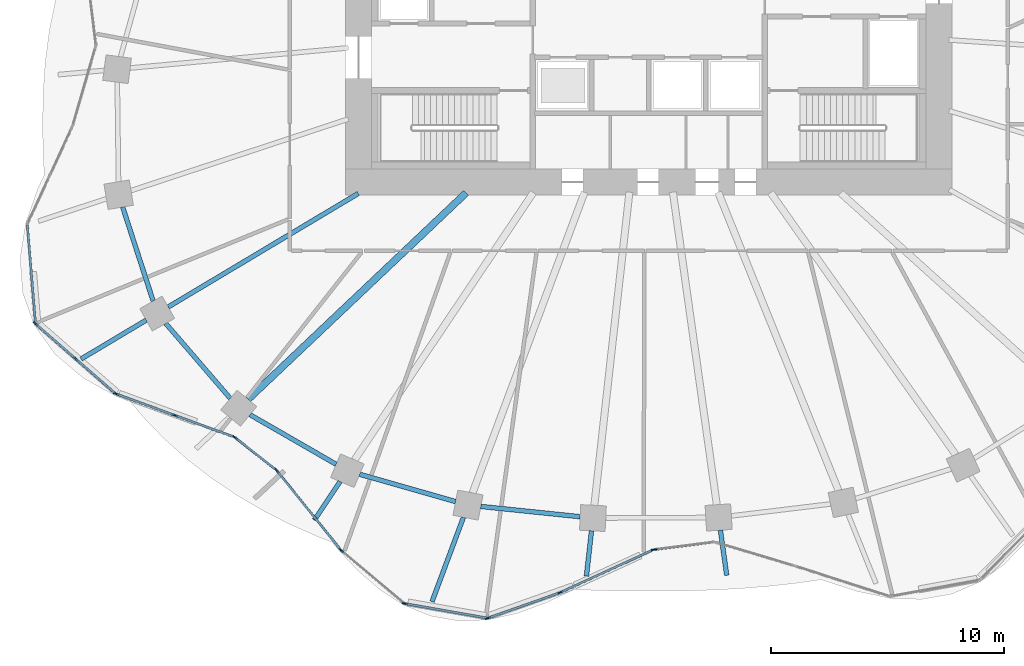
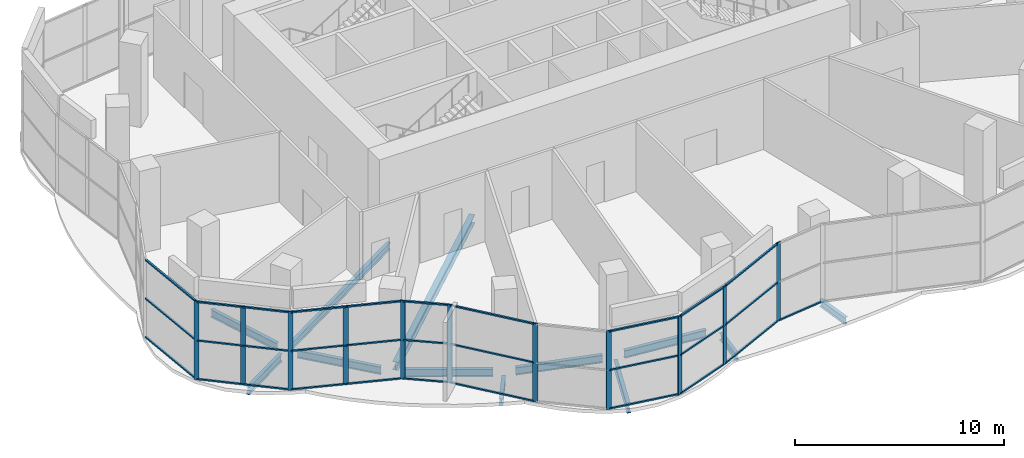
# One storey, part 2 of 16: 42 members, 12 beams, 10 elements without a shape of their own.
"""IFC4 building model written with IfcOpenShell, lengths in metres."""

from ifc_helpers import new_model, si_unit, direction, frame, origin, origin_2d, place, context, subcontext, project, spatial, rectangle, i_section, extrude, material, material_profile, profile_set, type_object, element, aggregate, save


model = new_model("IFC4")

# Units and contexts
model_context = context("Model", 3, precision=1e-05, world=origin(), true_north=direction((0.0, 1.0)))
body_context = subcontext(model_context, "Body", "Model", "MODEL_VIEW")
ifc_project = project(units=[si_unit("LENGTHUNIT", "METRE"), si_unit("AREAUNIT", "SQUARE_METRE"), si_unit("VOLUMEUNIT", "CUBIC_METRE"), si_unit("PLANEANGLEUNIT", "RADIAN"), si_unit("MASSUNIT", "GRAM", prefix="KILO")], contexts=[model_context])

# Site, building, storey
site_placement = place(None, origin())
site = spatial("IfcSite", under=ifc_project, at=site_placement, CompositionType="ELEMENT")
building_placement = place(site_placement, origin())
building = spatial("IfcBuilding", under=site, at=building_placement, Name="Rubra Terraces Tower", CompositionType="ELEMENT")
storey_placement = place(building_placement, frame((0.0, 0.0, 125.699951171875)))
storey = spatial("IfcBuildingStorey", under=building, at=storey_placement, Name="L30", CompositionType="ELEMENT", Elevation=125.699951171875)

# Beams
ifc_material_1 = material(Name="Steel Q355B", Category="steel")
ifc_material_profile_1 = material_profile(ifc_material_1, i_section(OverallWidth=0.199951171875, OverallDepth=0.39990234375, WebThickness=0.008056640625, FlangeThickness=0.012939453125, at=origin_2d()), Name="HN 400x200x8x13")
ifc_profile_set_1 = profile_set([ifc_material_profile_1], Name="Steel Q355B")
beam_type_1 = type_object("IfcBeamType", Name="CANTILEVER BEAM HN 400x200x8x13", PredefinedType="BEAM", material=ifc_profile_set_1)
beam_1_placement = place(storey_placement, frame((-13.238037109375, -15.298095703125, -0.39990234375), z_axis=(-0.555888999761, -0.831256530768, 0.0), x_axis=(0.831256530768, -0.555888999761, 0.0)))
element("IfcBeam", 1, at=beam_1_placement, inside=storey, type_object=beam_type_1, Name="beam-L30-cant-16", PredefinedType="BEAM", context=body_context, shape_type="SweptSolid", body=[
    extrude(i_section(OverallWidth=0.199951171875, OverallDepth=0.39990234375, WebThickness=0.008056640625, FlangeThickness=0.012939453125, at=origin_2d()), origin(), (0.0, 0.0, 1.0), 1.989501953125),
])
beam_2_placement = place(storey_placement, frame((-2.452880859375, -17.409912109375, -0.39990234375), z_axis=(-0.111555757565, -0.993758176295, 0.0), x_axis=(0.993758176295, -0.111555757565, 0.0)))
element("IfcBeam", 2, at=beam_2_placement, inside=storey, type_object=beam_type_1, Name="beam-L30-cant-18", PredefinedType="BEAM", context=body_context, shape_type="SweptSolid", body=[
    extrude(i_section(OverallWidth=0.199951171875, OverallDepth=0.39990234375, WebThickness=0.008056640625, FlangeThickness=0.012939453125, at=origin_2d()), origin(), (0.0, 0.0, 1.0), 1.954345703125),
])
beam_3_placement = place(storey_placement, frame((3.075927734375, -17.382080078125, -0.39990234375), z_axis=(0.138907105627, -0.990305415519, 0.0), x_axis=(0.990305415519, 0.138907105627, 0.0)))
element("IfcBeam", 3, at=beam_3_placement, inside=storey, type_object=beam_type_1, Name="beam-L30-cant-19", PredefinedType="BEAM", context=body_context, shape_type="SweptSolid", body=[
    extrude(i_section(OverallWidth=0.199951171875, OverallDepth=0.39990234375, WebThickness=0.008056640625, FlangeThickness=0.012939453125, at=origin_2d()), origin(), (0.0, 0.0, 1.0), 1.9580078125),
])
ifc_material_profile_2 = material_profile(ifc_material_1, i_section(OverallWidth=0.198974609375, OverallDepth=0.446044921875, WebThickness=0.008056640625, FlangeThickness=0.011962890625, at=origin_2d()), Name="HN 446x199x8x12")
ifc_profile_set_2 = profile_set([ifc_material_profile_2], Name="Steel Q355B")
beam_type_2 = type_object("IfcBeamType", Name="CANTILEVER BEAM HN 446x199x8x12", PredefinedType="BEAM", material=ifc_profile_set_2)
beam_4_placement = place(storey_placement, frame((-21.552978515625, -8.3720703125, -0.4228515625), z_axis=(-0.858497399832, -0.512817915523, 0.0), x_axis=(0.512817915523, -0.858497399832, 0.0)))
element("IfcBeam", 4, at=beam_4_placement, inside=storey, type_object=beam_type_2, Name="beam-L30-cant-14", PredefinedType="BEAM", context=body_context, shape_type="SweptSolid", body=[
    extrude(i_section(OverallWidth=0.198974609375, OverallDepth=0.446044921875, WebThickness=0.008056640625, FlangeThickness=0.011962890625, at=origin_2d()), origin(), (0.0, 0.0, 1.0), 3.25439453125),
])
ifc_material_profile_3 = material_profile(ifc_material_1, i_section(OverallWidth=0.198974609375, OverallDepth=0.49609375, WebThickness=0.009033203125, FlangeThickness=0.013916015625, at=origin_2d()), Name="HN 496x199x9x14")
ifc_profile_set_3 = profile_set([ifc_material_profile_3], Name="Steel Q355B")
beam_type_3 = type_object("IfcBeamType", Name="CANTILEVER BEAM HN 496x199x9x14", PredefinedType="BEAM", material=ifc_profile_set_3)
beam_5_placement = place(storey_placement, frame((-7.946044921875, -16.830078125, -0.447998046875), z_axis=(-0.34900656009, -0.937120280975, 0.0), x_axis=(0.937120280975, -0.34900656009, 0.0)))
element("IfcBeam", 5, at=beam_5_placement, inside=storey, type_object=beam_type_3, Name="beam-L30-cant-17", PredefinedType="BEAM", context=body_context, shape_type="SweptSolid", body=[
    extrude(i_section(OverallWidth=0.198974609375, OverallDepth=0.49609375, WebThickness=0.009033203125, FlangeThickness=0.013916015625, at=origin_2d()), origin(), (0.0, 0.0, 1.0), 3.8564453125),
])
ifc_material_profile_4 = material_profile(ifc_material_1, i_section(OverallWidth=0.300048828125, OverallDepth=0.48193359375, WebThickness=0.010986328125, FlangeThickness=0.014892578125, at=origin_2d()), Name="HM 482x300x11x15")
ifc_profile_set_4 = profile_set([ifc_material_profile_4], Name="Steel Q355B")
beam_type_4 = type_object("IfcBeamType", Name="FLOOR BEAM HM 482x300x11x15", PredefinedType="BEAM", material=ifc_profile_set_4)
beam_6_placement = place(storey_placement, frame((-17.181884765625, -11.77001953125, -0.44091796875), z_axis=(0.726100153208, 0.687588952436, 0.0), x_axis=(-0.687588952436, 0.726100153208, 0.0)))
element("IfcBeam", 6, at=beam_6_placement, inside=storey, type_object=beam_type_4, Name="beam-L30-floor-15", PredefinedType="BEAM", context=body_context, shape_type="SweptSolid", body=[
    extrude(i_section(OverallWidth=0.300048828125, OverallDepth=0.48193359375, WebThickness=0.010986328125, FlangeThickness=0.014892578125, at=origin_2d()), origin(), (0.0, 0.0, 1.0), 12.87548828125),
])
ifc_material_profile_5 = material_profile(ifc_material_1, i_section(OverallWidth=0.199951171875, OverallDepth=0.39990234375, WebThickness=0.008056640625, FlangeThickness=0.012939453125, at=origin_2d()), Name="HN 400x200x8x13")
ifc_profile_set_5 = profile_set([ifc_material_profile_5], Name="Steel Q355B")
beam_type_5 = type_object("IfcBeamType", Name="FLOOR BEAM HN 400x200x8x13", PredefinedType="BEAM", material=ifc_profile_set_5)
beam_7_placement = place(storey_placement, frame((-20.60888671875, -7.80810546875, -0.39990234375), z_axis=(0.858520950698, 0.51277848747, 0.0), x_axis=(-0.51277848747, 0.858520950698, 0.0)))
element("IfcBeam", 7, at=beam_7_placement, inside=storey, type_object=beam_type_5, Name="beam-L30-floor-14", PredefinedType="BEAM", context=body_context, shape_type="SweptSolid", body=[
    extrude(i_section(OverallWidth=0.199951171875, OverallDepth=0.39990234375, WebThickness=0.008056640625, FlangeThickness=0.012939453125, at=origin_2d()), origin(), (0.0, 0.0, 1.0), 9.49755859375),
])
ifc_material_profile_6 = material_profile(ifc_material_1, i_section(OverallWidth=0.198974609375, OverallDepth=0.446044921875, WebThickness=0.008056640625, FlangeThickness=0.011962890625, at=origin_2d()), Name="HN 446x199x8x12")
ifc_profile_set_6 = profile_set([ifc_material_profile_6], Name="Steel Q355B")
beam_type_6 = type_object("IfcBeamType", Name="SPANDREL BEAM HN 446x199x8x12", PredefinedType="SPANDREL", material=ifc_profile_set_6)
beam_8_placement = place(storey_placement, frame((-22.56201171875, -3.52197265625, -0.4228515625), z_axis=(0.308462461648, -0.951236516201, 0.0), x_axis=(0.951236516201, 0.308462461648, 0.0)))
element("IfcBeam", 8, at=beam_8_placement, inside=storey, type_object=beam_type_6, Name="beam-L30-spandrel-13", PredefinedType="SPANDREL", context=body_context, shape_type="SweptSolid", body=[
    extrude(i_section(OverallWidth=0.198974609375, OverallDepth=0.446044921875, WebThickness=0.008056640625, FlangeThickness=0.011962890625, at=origin_2d()), origin(), (0.0, 0.0, 1.0), 4.24072265625),
])
beam_9_placement = place(storey_placement, frame((-20.715087890625, -8.514892578125, -0.4228515625), z_axis=(0.65255344008, -0.757742705567, 0.0), x_axis=(0.757742705567, 0.65255344008, 0.0)))
element("IfcBeam", 9, at=beam_9_placement, inside=storey, type_object=beam_type_6, Name="beam-L30-spandrel-14", PredefinedType="SPANDREL", context=body_context, shape_type="SweptSolid", body=[
    extrude(i_section(OverallWidth=0.198974609375, OverallDepth=0.446044921875, WebThickness=0.008056640625, FlangeThickness=0.011962890625, at=origin_2d()), origin(), (0.0, 0.0, 1.0), 4.240478515625),
])
beam_10_placement = place(storey_placement, frame((-17.10009765625, -12.428955078125, -0.4228515625), z_axis=(0.866560147027, -0.49907265161, 0.0), x_axis=(0.49907265161, 0.866560147027, 0.0)))
element("IfcBeam", 10, at=beam_10_placement, inside=storey, type_object=beam_type_6, Name="beam-L30-spandrel-15", PredefinedType="SPANDREL", context=body_context, shape_type="SweptSolid", body=[
    extrude(i_section(OverallWidth=0.198974609375, OverallDepth=0.446044921875, WebThickness=0.008056640625, FlangeThickness=0.011962890625, at=origin_2d()), origin(), (0.0, 0.0, 1.0), 4.26171875),
])
beam_11_placement = place(storey_placement, frame((-12.39404296875, -14.98388671875, -0.4228515625), z_axis=(0.961693978406, -0.274125321518, 0.0), x_axis=(0.274125321518, 0.961693978406, 0.0)))
element("IfcBeam", 11, at=beam_11_placement, inside=storey, type_object=beam_type_6, Name="beam-L30-spandrel-16", PredefinedType="SPANDREL", context=body_context, shape_type="SweptSolid", body=[
    extrude(i_section(OverallWidth=0.198974609375, OverallDepth=0.446044921875, WebThickness=0.008056640625, FlangeThickness=0.011962890625, at=origin_2d()), origin(), (0.0, 0.0, 1.0), 4.27587890625),
])
beam_12_placement = place(storey_placement, frame((-7.201904296875, -16.364013671875, -0.4228515625), z_axis=(0.994691190497, -0.102904983103, 0.0), x_axis=(0.102904983103, 0.994691190497, 0.0)))
element("IfcBeam", 12, at=beam_12_placement, inside=storey, type_object=beam_type_6, Name="beam-L30-spandrel-17", PredefinedType="SPANDREL", context=body_context, shape_type="SweptSolid", body=[
    extrude(i_section(OverallWidth=0.198974609375, OverallDepth=0.446044921875, WebThickness=0.008056640625, FlangeThickness=0.011962890625, at=origin_2d()), origin(), (0.0, 0.0, 1.0), 4.28466796875),
])

# Curtain wall, members
ifc_material_2 = material(Name="Aluminium and glass", Category="aluminium")
curtain_wall_type = type_object("IfcCurtainWallType", Name="Curtain wall Sky lobby glazing", PredefinedType="NOTDEFINED", material=ifc_material_2)
curtain_wall_1_placement = place(storey_placement, origin())
curtain_wall_1 = element("IfcCurtainWall", 13, at=curtain_wall_1_placement, inside=storey, type_object=curtain_wall_type, Name="L30 glazing bay 23", PredefinedType="NOTDEFINED")
ifc_material_3 = material(Name="Aluminium, anodised dark grey", Category="aluminium")
ifc_material_profile_7 = material_profile(ifc_material_3, rectangle(XDim=0.06005859375, YDim=0.25, at=origin_2d()), Name="AL 60x250")
ifc_profile_set_7 = profile_set([ifc_material_profile_7], Name="Aluminium, anodised dark grey")
member_type_1 = type_object("IfcMemberType", Name="Sky lobby glazing mullion 60 x 250", PredefinedType="MULLION", material=ifc_profile_set_7)
member_1_placement = place(storey_placement, frame((-26.296142578125, -8.5302734375, 0.0), z_axis=(0.0, 0.0, 1.0), x_axis=(0.657566728794, 0.753396308183, 0.0)))
member_1 = element("IfcMember", 14, at=member_1_placement, type_object=member_type_1, Name="CW2 mullion 1", PredefinedType="MULLION", context=body_context, shape_type="SweptSolid", body=[
    extrude(rectangle(XDim=0.06005859375, YDim=0.25, at=origin_2d()), origin(), (0.0, 0.0, 1.0), 4.60009765625),
])
member_2_placement = place(storey_placement, frame((-24.583251953125, -10.025146484375, 0.0), z_axis=(0.0, 0.0, 1.0), x_axis=(0.657566728794, 0.753396308183, 0.0)))
member_2 = element("IfcMember", 15, at=member_2_placement, type_object=member_type_1, Name="CW2 mullion 2", PredefinedType="MULLION", context=body_context, shape_type="SweptSolid", body=[
    extrude(rectangle(XDim=0.06005859375, YDim=0.25, at=origin_2d()), origin(), (0.0, 0.0, 1.0), 4.60009765625),
])

curtain_wall_2_placement = place(storey_placement, origin())
curtain_wall_2 = element("IfcCurtainWall", 16, at=curtain_wall_2_placement, inside=storey, type_object=curtain_wall_type, Name="L30 glazing bay 24", PredefinedType="NOTDEFINED")
member_3_placement = place(storey_placement, frame((-22.843017578125, -11.536376953125, 0.0), z_axis=(0.0, 0.0, 1.0), x_axis=(0.343220778086, 0.939254756437, 0.0)))
member_3 = element("IfcMember", 17, at=member_3_placement, type_object=member_type_1, Name="CW2 mullion 1", PredefinedType="MULLION", context=body_context, shape_type="SweptSolid", body=[
    extrude(rectangle(XDim=0.06005859375, YDim=0.25, at=origin_2d()), origin(), (0.0, 0.0, 1.0), 4.60009765625),
])
member_4_placement = place(storey_placement, frame((-20.32275390625, -12.457275390625, 0.0), z_axis=(0.0, 0.0, 1.0), x_axis=(0.343220778086, 0.939254756437, 0.0)))
member_4 = element("IfcMember", 18, at=member_4_placement, type_object=member_type_1, Name="CW2 mullion 2", PredefinedType="MULLION", context=body_context, shape_type="SweptSolid", body=[
    extrude(rectangle(XDim=0.06005859375, YDim=0.25, at=origin_2d()), origin(), (0.0, 0.0, 1.0), 4.60009765625),
])

# Curtain wall, member
curtain_wall_3_placement = place(storey_placement, origin())
curtain_wall_3 = element("IfcCurtainWall", 19, at=curtain_wall_3_placement, inside=storey, type_object=curtain_wall_type, Name="L30 glazing bay 25", PredefinedType="NOTDEFINED")
member_5_placement = place(storey_placement, frame((-17.72998046875, -13.418701171875, 0.0), z_axis=(0.0, 0.0, 1.0), x_axis=(0.618878849046, 0.7854864545, 0.0)))
member_5 = element("IfcMember", 20, at=member_5_placement, type_object=member_type_1, Name="CW2 mullion 1", PredefinedType="MULLION", context=body_context, shape_type="SweptSolid", body=[
    extrude(rectangle(XDim=0.06005859375, YDim=0.25, at=origin_2d()), origin(), (0.0, 0.0, 1.0), 4.60009765625),
])

curtain_wall_4_placement = place(storey_placement, origin())
curtain_wall_4 = element("IfcCurtainWall", 21, at=curtain_wall_4_placement, inside=storey, type_object=curtain_wall_type, Name="L30 glazing bay 26", PredefinedType="NOTDEFINED")
member_6_placement = place(storey_placement, frame((-15.94873046875, -14.8330078125, 0.0), z_axis=(0.0, 0.0, 1.0), x_axis=(0.778010367613, 0.628251436836, 0.0)))
member_6 = element("IfcMember", 22, at=member_6_placement, type_object=member_type_1, Name="CW2 mullion 1", PredefinedType="MULLION", context=body_context, shape_type="SweptSolid", body=[
    extrude(rectangle(XDim=0.06005859375, YDim=0.25, at=origin_2d()), origin(), (0.0, 0.0, 1.0), 4.60009765625),
])

curtain_wall_5_placement = place(storey_placement, origin())
curtain_wall_5 = element("IfcCurtainWall", 23, at=curtain_wall_5_placement, inside=storey, type_object=curtain_wall_type, Name="L30 glazing bay 27", PredefinedType="NOTDEFINED")
member_7_placement = place(storey_placement, frame((-13.189208984375, -18.243408203125, 0.0), z_axis=(0.0, 0.0, 1.0), x_axis=(0.643370795604, 0.765554713501, 0.0)))
member_7 = element("IfcMember", 24, at=member_7_placement, type_object=member_type_1, Name="CW2 mullion 1", PredefinedType="MULLION", context=body_context, shape_type="SweptSolid", body=[
    extrude(rectangle(XDim=0.06005859375, YDim=0.25, at=origin_2d()), origin(), (0.0, 0.0, 1.0), 4.60009765625),
])
aggregate(curtain_wall_5, [member_7])

curtain_wall_6_placement = place(storey_placement, origin())
curtain_wall_6 = element("IfcCurtainWall", 25, at=curtain_wall_6_placement, inside=storey, type_object=curtain_wall_type, Name="L30 glazing bay 28", PredefinedType="NOTDEFINED")
member_8_placement = place(storey_placement, frame((-10.45556640625, -20.5341796875, 0.0), z_axis=(0.0, 0.0, 1.0), x_axis=(0.172426804653, 0.985022333268, 0.0)))
member_8 = element("IfcMember", 26, at=member_8_placement, type_object=member_type_1, Name="CW2 mullion 1", PredefinedType="MULLION", context=body_context, shape_type="SweptSolid", body=[
    extrude(rectangle(XDim=0.06005859375, YDim=0.25, at=origin_2d()), origin(), (0.0, 0.0, 1.0), 4.60009765625),
])

curtain_wall_7_placement = place(storey_placement, origin())
curtain_wall_7 = element("IfcCurtainWall", 27, at=curtain_wall_7_placement, inside=storey, type_object=curtain_wall_type, Name="L30 glazing bay 29", PredefinedType="NOTDEFINED")
member_9_placement = place(storey_placement, frame((-6.8955078125, -21.15234375, 0.0), z_axis=(0.0, 0.0, 1.0), x_axis=(-0.332658556205, 0.943047339736, 0.0)))
member_9 = element("IfcMember", 28, at=member_9_placement, type_object=member_type_1, Name="CW2 mullion 1", PredefinedType="MULLION", context=body_context, shape_type="SweptSolid", body=[
    extrude(rectangle(XDim=0.06005859375, YDim=0.25, at=origin_2d()), origin(), (0.0, 0.0, 1.0), 4.60009765625),
])

curtain_wall_8_placement = place(storey_placement, origin())
curtain_wall_8 = element("IfcCurtainWall", 29, at=curtain_wall_8_placement, inside=storey, type_object=curtain_wall_type, Name="L30 glazing bay 30", PredefinedType="NOTDEFINED")
member_10_placement = place(storey_placement, frame((-3.78857421875, -20.0537109375, 0.0), z_axis=(0.0, 0.0, 1.0), x_axis=(-0.41747738169, 0.908687314634, 0.0)))
member_10 = element("IfcMember", 30, at=member_10_placement, type_object=member_type_1, Name="CW2 mullion 1", PredefinedType="MULLION", context=body_context, shape_type="SweptSolid", body=[
    extrude(rectangle(XDim=0.06005859375, YDim=0.25, at=origin_2d()), origin(), (0.0, 0.0, 1.0), 4.60009765625),
])

curtain_wall_9_placement = place(storey_placement, origin())
curtain_wall_9 = element("IfcCurtainWall", 31, at=curtain_wall_9_placement, inside=storey, type_object=curtain_wall_type, Name="L30 glazing bay 31", PredefinedType="NOTDEFINED")
member_11_placement = place(storey_placement, frame((0.23974609375, -18.216796875, 0.0), z_axis=(0.0, 0.0, 1.0), x_axis=(-0.125619705276, 0.9920784695, 0.0)))
member_11 = element("IfcMember", 32, at=member_11_placement, type_object=member_type_1, Name="CW2 mullion 1", PredefinedType="MULLION", context=body_context, shape_type="SweptSolid", body=[
    extrude(rectangle(XDim=0.06005859375, YDim=0.25, at=origin_2d()), origin(), (0.0, 0.0, 1.0), 4.60009765625),
])

# Curtain wall, members
curtain_wall_10_placement = place(storey_placement, origin())
curtain_wall_10 = element("IfcCurtainWall", 33, at=curtain_wall_10_placement, inside=storey, type_object=curtain_wall_type, Name="L30 glazing bay 22", PredefinedType="NOTDEFINED")
ifc_material_profile_8 = material_profile(ifc_material_3, rectangle(XDim=0.10009765625, YDim=0.080078125, at=origin_2d()), Name="AL 100x80")
ifc_profile_set_8 = profile_set([ifc_material_profile_8], Name="Aluminium, anodised dark grey")
member_type_2 = type_object("IfcMemberType", Name="Sky lobby glazing transom 100 x 80", PredefinedType="USERDEFINED", material=ifc_profile_set_8)
member_12_placement = place(storey_placement, frame((-26.650390625, -4.28759765625, 0.050048828125), z_axis=(0.083265299179, -0.996527415555, 0.0), x_axis=(0.996527415555, 0.083265299179, 0.0)))
member_12 = element("IfcMember", 34, at=member_12_placement, type_object=member_type_2, Name="CW2 transom 1.1", ObjectType="TRANSOM", PredefinedType="USERDEFINED", context=body_context, shape_type="SweptSolid", body=[
    extrude(rectangle(XDim=0.10009765625, YDim=0.080078125, at=origin_2d()), origin(), (0.0, 0.0, 1.0), 4.22802734375),
])
member_13_placement = place(storey_placement, frame((-26.650390625, -4.28759765625, 2.300048828125), z_axis=(0.083265299179, -0.996527415555, 0.0), x_axis=(0.996527415555, 0.083265299179, 0.0)))
member_13 = element("IfcMember", 35, at=member_13_placement, type_object=member_type_2, Name="CW2 transom 1.2", ObjectType="TRANSOM", PredefinedType="USERDEFINED", context=body_context, shape_type="SweptSolid", body=[
    extrude(rectangle(XDim=0.10009765625, YDim=0.080078125, at=origin_2d()), origin(), (0.0, 0.0, 1.0), 4.22802734375),
])
member_14_placement = place(storey_placement, frame((-26.650390625, -4.28759765625, 4.550048828125), z_axis=(0.083265299179, -0.996527415555, 0.0), x_axis=(0.996527415555, 0.083265299179, 0.0)))
member_14 = element("IfcMember", 36, at=member_14_placement, type_object=member_type_2, Name="CW2 transom 1.3", ObjectType="TRANSOM", PredefinedType="USERDEFINED", context=body_context, shape_type="SweptSolid", body=[
    extrude(rectangle(XDim=0.10009765625, YDim=0.080078125, at=origin_2d()), origin(), (0.0, 0.0, 1.0), 4.22802734375),
])
aggregate(curtain_wall_10, [member_12, member_13, member_14])

# Member
member_15_placement = place(storey_placement, frame((-26.2734375, -8.550048828125, 0.050048828125), z_axis=(0.753402801598, -0.657559288995, 0.0), x_axis=(0.657559288995, 0.753402801598, 0.0)))
member_15 = element("IfcMember", 37, at=member_15_placement, type_object=member_type_2, Name="CW2 transom 1.1", ObjectType="TRANSOM", PredefinedType="USERDEFINED", context=body_context, shape_type="SweptSolid", body=[
    extrude(rectangle(XDim=0.10009765625, YDim=0.080078125, at=origin_2d()), origin(), (0.0, 0.0, 1.0), 2.213623046875),
])

member_16_placement = place(storey_placement, frame((-26.2734375, -8.550048828125, 2.300048828125), z_axis=(0.753402801598, -0.657559288995, 0.0), x_axis=(0.657559288995, 0.753402801598, 0.0)))
member_16 = element("IfcMember", 38, at=member_16_placement, type_object=member_type_2, Name="CW2 transom 1.2", ObjectType="TRANSOM", PredefinedType="USERDEFINED", context=body_context, shape_type="SweptSolid", body=[
    extrude(rectangle(XDim=0.10009765625, YDim=0.080078125, at=origin_2d()), origin(), (0.0, 0.0, 1.0), 2.213623046875),
])

member_17_placement = place(storey_placement, frame((-26.2734375, -8.550048828125, 4.550048828125), z_axis=(0.753402801598, -0.657559288995, 0.0), x_axis=(0.657559288995, 0.753402801598, 0.0)))
member_17 = element("IfcMember", 39, at=member_17_placement, type_object=member_type_2, Name="CW2 transom 1.3", ObjectType="TRANSOM", PredefinedType="USERDEFINED", context=body_context, shape_type="SweptSolid", body=[
    extrude(rectangle(XDim=0.10009765625, YDim=0.080078125, at=origin_2d()), origin(), (0.0, 0.0, 1.0), 2.213623046875),
])

member_18_placement = place(storey_placement, frame((-24.560546875, -10.044921875, 0.050048828125), z_axis=(0.753402801598, -0.657559288995, 0.0), x_axis=(0.657559288995, 0.753402801598, 0.0)))
member_18 = element("IfcMember", 40, at=member_18_placement, type_object=member_type_2, Name="CW2 transom 2.1", ObjectType="TRANSOM", PredefinedType="USERDEFINED", context=body_context, shape_type="SweptSolid", body=[
    extrude(rectangle(XDim=0.10009765625, YDim=0.080078125, at=origin_2d()), origin(), (0.0, 0.0, 1.0), 2.213623046875),
])

member_19_placement = place(storey_placement, frame((-24.560546875, -10.044921875, 2.300048828125), z_axis=(0.753402801598, -0.657559288995, 0.0), x_axis=(0.657559288995, 0.753402801598, 0.0)))
member_19 = element("IfcMember", 41, at=member_19_placement, type_object=member_type_2, Name="CW2 transom 2.2", ObjectType="TRANSOM", PredefinedType="USERDEFINED", context=body_context, shape_type="SweptSolid", body=[
    extrude(rectangle(XDim=0.10009765625, YDim=0.080078125, at=origin_2d()), origin(), (0.0, 0.0, 1.0), 2.213623046875),
])

member_20_placement = place(storey_placement, frame((-24.560546875, -10.044921875, 4.550048828125), z_axis=(0.753402801598, -0.657559288995, 0.0), x_axis=(0.657559288995, 0.753402801598, 0.0)))
member_20 = element("IfcMember", 42, at=member_20_placement, type_object=member_type_2, Name="CW2 transom 2.3", ObjectType="TRANSOM", PredefinedType="USERDEFINED", context=body_context, shape_type="SweptSolid", body=[
    extrude(rectangle(XDim=0.10009765625, YDim=0.080078125, at=origin_2d()), origin(), (0.0, 0.0, 1.0), 2.213623046875),
])

aggregate(curtain_wall_1, [member_1, member_2, member_15, member_16, member_17, member_18, member_19, member_20])

member_21_placement = place(storey_placement, frame((-22.81494140625, -11.546630859375, 0.050048828125), z_axis=(0.939259731727, -0.34320716245, 0.0), x_axis=(0.34320716245, 0.939259731727, 0.0)))
member_21 = element("IfcMember", 43, at=member_21_placement, type_object=member_type_2, Name="CW2 transom 1.1", ObjectType="TRANSOM", PredefinedType="USERDEFINED", context=body_context, shape_type="SweptSolid", body=[
    extrude(rectangle(XDim=0.10009765625, YDim=0.080078125, at=origin_2d()), origin(), (0.0, 0.0, 1.0), 2.62353515625),
])

member_22_placement = place(storey_placement, frame((-22.81494140625, -11.546630859375, 2.300048828125), z_axis=(0.939259731727, -0.34320716245, 0.0), x_axis=(0.34320716245, 0.939259731727, 0.0)))
member_22 = element("IfcMember", 44, at=member_22_placement, type_object=member_type_2, Name="CW2 transom 1.2", ObjectType="TRANSOM", PredefinedType="USERDEFINED", context=body_context, shape_type="SweptSolid", body=[
    extrude(rectangle(XDim=0.10009765625, YDim=0.080078125, at=origin_2d()), origin(), (0.0, 0.0, 1.0), 2.62353515625),
])

member_23_placement = place(storey_placement, frame((-22.81494140625, -11.546630859375, 4.550048828125), z_axis=(0.939259731727, -0.34320716245, 0.0), x_axis=(0.34320716245, 0.939259731727, 0.0)))
member_23 = element("IfcMember", 45, at=member_23_placement, type_object=member_type_2, Name="CW2 transom 1.3", ObjectType="TRANSOM", PredefinedType="USERDEFINED", context=body_context, shape_type="SweptSolid", body=[
    extrude(rectangle(XDim=0.10009765625, YDim=0.080078125, at=origin_2d()), origin(), (0.0, 0.0, 1.0), 2.62353515625),
])

member_24_placement = place(storey_placement, frame((-20.294677734375, -12.467529296875, 0.050048828125), z_axis=(0.939259731727, -0.34320716245, 0.0), x_axis=(0.34320716245, 0.939259731727, 0.0)))
member_24 = element("IfcMember", 46, at=member_24_placement, type_object=member_type_2, Name="CW2 transom 2.1", ObjectType="TRANSOM", PredefinedType="USERDEFINED", context=body_context, shape_type="SweptSolid", body=[
    extrude(rectangle(XDim=0.10009765625, YDim=0.080078125, at=origin_2d()), origin(), (0.0, 0.0, 1.0), 2.62353515625),
])

member_25_placement = place(storey_placement, frame((-20.294677734375, -12.467529296875, 2.300048828125), z_axis=(0.939259731727, -0.34320716245, 0.0), x_axis=(0.34320716245, 0.939259731727, 0.0)))
member_25 = element("IfcMember", 47, at=member_25_placement, type_object=member_type_2, Name="CW2 transom 2.2", ObjectType="TRANSOM", PredefinedType="USERDEFINED", context=body_context, shape_type="SweptSolid", body=[
    extrude(rectangle(XDim=0.10009765625, YDim=0.080078125, at=origin_2d()), origin(), (0.0, 0.0, 1.0), 2.62353515625),
])

member_26_placement = place(storey_placement, frame((-20.294677734375, -12.467529296875, 4.550048828125), z_axis=(0.939259731727, -0.34320716245, 0.0), x_axis=(0.34320716245, 0.939259731727, 0.0)))
member_26 = element("IfcMember", 48, at=member_26_placement, type_object=member_type_2, Name="CW2 transom 2.3", ObjectType="TRANSOM", PredefinedType="USERDEFINED", context=body_context, shape_type="SweptSolid", body=[
    extrude(rectangle(XDim=0.10009765625, YDim=0.080078125, at=origin_2d()), origin(), (0.0, 0.0, 1.0), 2.62353515625),
])

aggregate(curtain_wall_2, [member_3, member_4, member_21, member_22, member_23, member_24, member_25, member_26])

member_27_placement = place(storey_placement, frame((-17.70654296875, -13.437255859375, 0.050048828125), z_axis=(0.785513532943, -0.618844479303, 0.0), x_axis=(0.618844479303, 0.785513532943, 0.0)))
member_27 = element("IfcMember", 49, at=member_27_placement, type_object=member_type_2, Name="CW2 transom 1.1", ObjectType="TRANSOM", PredefinedType="USERDEFINED", context=body_context, shape_type="SweptSolid", body=[
    extrude(rectangle(XDim=0.10009765625, YDim=0.080078125, at=origin_2d()), origin(), (0.0, 0.0, 1.0), 2.138671875),
])

member_28_placement = place(storey_placement, frame((-17.70654296875, -13.437255859375, 2.300048828125), z_axis=(0.785513532943, -0.618844479303, 0.0), x_axis=(0.618844479303, 0.785513532943, 0.0)))
member_28 = element("IfcMember", 50, at=member_28_placement, type_object=member_type_2, Name="CW2 transom 1.2", ObjectType="TRANSOM", PredefinedType="USERDEFINED", context=body_context, shape_type="SweptSolid", body=[
    extrude(rectangle(XDim=0.10009765625, YDim=0.080078125, at=origin_2d()), origin(), (0.0, 0.0, 1.0), 2.138671875),
])

member_29_placement = place(storey_placement, frame((-17.70654296875, -13.437255859375, 4.550048828125), z_axis=(0.785513532943, -0.618844479303, 0.0), x_axis=(0.618844479303, 0.785513532943, 0.0)))
member_29 = element("IfcMember", 51, at=member_29_placement, type_object=member_type_2, Name="CW2 transom 1.3", ObjectType="TRANSOM", PredefinedType="USERDEFINED", context=body_context, shape_type="SweptSolid", body=[
    extrude(rectangle(XDim=0.10009765625, YDim=0.080078125, at=origin_2d()), origin(), (0.0, 0.0, 1.0), 2.138671875),
])

aggregate(curtain_wall_3, [member_5, member_27, member_28, member_29])

member_30_placement = place(storey_placement, frame((-15.9296875, -14.8564453125, 0.050048828125), z_axis=(0.628262777192, -0.778001210021, 0.0), x_axis=(0.778001210021, 0.628262777192, 0.0)))
member_30 = element("IfcMember", 52, at=member_30_placement, type_object=member_type_2, Name="CW2 transom 1.1", ObjectType="TRANSOM", PredefinedType="USERDEFINED", context=body_context, shape_type="SweptSolid", body=[
    extrude(rectangle(XDim=0.10009765625, YDim=0.080078125, at=origin_2d()), origin(), (0.0, 0.0, 1.0), 4.281494140625),
])

member_31_placement = place(storey_placement, frame((-15.9296875, -14.8564453125, 2.300048828125), z_axis=(0.628262777192, -0.778001210021, 0.0), x_axis=(0.778001210021, 0.628262777192, 0.0)))
member_31 = element("IfcMember", 53, at=member_31_placement, type_object=member_type_2, Name="CW2 transom 1.2", ObjectType="TRANSOM", PredefinedType="USERDEFINED", context=body_context, shape_type="SweptSolid", body=[
    extrude(rectangle(XDim=0.10009765625, YDim=0.080078125, at=origin_2d()), origin(), (0.0, 0.0, 1.0), 4.281494140625),
])

member_32_placement = place(storey_placement, frame((-15.9296875, -14.8564453125, 4.550048828125), z_axis=(0.628262777192, -0.778001210021, 0.0), x_axis=(0.778001210021, 0.628262777192, 0.0)))
member_32 = element("IfcMember", 54, at=member_32_placement, type_object=member_type_2, Name="CW2 transom 1.3", ObjectType="TRANSOM", PredefinedType="USERDEFINED", context=body_context, shape_type="SweptSolid", body=[
    extrude(rectangle(XDim=0.10009765625, YDim=0.080078125, at=origin_2d()), origin(), (0.0, 0.0, 1.0), 4.281494140625),
])

aggregate(curtain_wall_4, [member_6, member_30, member_31, member_32])

member_33_placement = place(storey_placement, frame((-10.426025390625, -20.53955078125, 0.050048828125), z_axis=(0.985030173863, -0.172382007701, 0.0), x_axis=(0.172382007701, 0.985030173863, 0.0)))
member_33 = element("IfcMember", 55, at=member_33_placement, type_object=member_type_2, Name="CW2 transom 1.1", ObjectType="TRANSOM", PredefinedType="USERDEFINED", context=body_context, shape_type="SweptSolid", body=[
    extrude(rectangle(XDim=0.10009765625, YDim=0.080078125, at=origin_2d()), origin(), (0.0, 0.0, 1.0), 3.53369140625),
])

member_34_placement = place(storey_placement, frame((-10.426025390625, -20.53955078125, 2.300048828125), z_axis=(0.985030173863, -0.172382007701, 0.0), x_axis=(0.172382007701, 0.985030173863, 0.0)))
member_34 = element("IfcMember", 56, at=member_34_placement, type_object=member_type_2, Name="CW2 transom 1.2", ObjectType="TRANSOM", PredefinedType="USERDEFINED", context=body_context, shape_type="SweptSolid", body=[
    extrude(rectangle(XDim=0.10009765625, YDim=0.080078125, at=origin_2d()), origin(), (0.0, 0.0, 1.0), 3.53369140625),
])

member_35_placement = place(storey_placement, frame((-10.426025390625, -20.53955078125, 4.550048828125), z_axis=(0.985030173863, -0.172382007701, 0.0), x_axis=(0.172382007701, 0.985030173863, 0.0)))
member_35 = element("IfcMember", 57, at=member_35_placement, type_object=member_type_2, Name="CW2 transom 1.3", ObjectType="TRANSOM", PredefinedType="USERDEFINED", context=body_context, shape_type="SweptSolid", body=[
    extrude(rectangle(XDim=0.10009765625, YDim=0.080078125, at=origin_2d()), origin(), (0.0, 0.0, 1.0), 3.53369140625),
])

aggregate(curtain_wall_6, [member_8, member_33, member_34, member_35])

member_36_placement = place(storey_placement, frame((-6.867431640625, -21.142333984375, 0.050048828125), z_axis=(0.943063951413, 0.332611460333, 0.0), x_axis=(-0.332611460333, 0.943063951413, 0.0)))
member_36 = element("IfcMember", 58, at=member_36_placement, type_object=member_type_2, Name="CW2 transom 1.1", ObjectType="TRANSOM", PredefinedType="USERDEFINED", context=body_context, shape_type="SweptSolid", body=[
    extrude(rectangle(XDim=0.10009765625, YDim=0.080078125, at=origin_2d()), origin(), (0.0, 0.0, 1.0), 3.1826171875),
])

member_37_placement = place(storey_placement, frame((-6.867431640625, -21.142333984375, 2.300048828125), z_axis=(0.943063951413, 0.332611460333, 0.0), x_axis=(-0.332611460333, 0.943063951413, 0.0)))
member_37 = element("IfcMember", 59, at=member_37_placement, type_object=member_type_2, Name="CW2 transom 1.2", ObjectType="TRANSOM", PredefinedType="USERDEFINED", context=body_context, shape_type="SweptSolid", body=[
    extrude(rectangle(XDim=0.10009765625, YDim=0.080078125, at=origin_2d()), origin(), (0.0, 0.0, 1.0), 3.1826171875),
])

member_38_placement = place(storey_placement, frame((-6.867431640625, -21.142333984375, 4.550048828125), z_axis=(0.943063951413, 0.332611460333, 0.0), x_axis=(-0.332611460333, 0.943063951413, 0.0)))
member_38 = element("IfcMember", 60, at=member_38_placement, type_object=member_type_2, Name="CW2 transom 1.3", ObjectType="TRANSOM", PredefinedType="USERDEFINED", context=body_context, shape_type="SweptSolid", body=[
    extrude(rectangle(XDim=0.10009765625, YDim=0.080078125, at=origin_2d()), origin(), (0.0, 0.0, 1.0), 3.1826171875),
])

aggregate(curtain_wall_7, [member_9, member_36, member_37, member_38])

member_39_placement = place(storey_placement, frame((-3.761474609375, -20.041259765625, 0.050048828125), z_axis=(0.908691442439, 0.417468396934, 0.0), x_axis=(-0.417468396934, 0.908691442439, 0.0)))
member_39 = element("IfcMember", 61, at=member_39_placement, type_object=member_type_2, Name="CW2 transom 1.1", ObjectType="TRANSOM", PredefinedType="USERDEFINED", context=body_context, shape_type="SweptSolid", body=[
    extrude(rectangle(XDim=0.10009765625, YDim=0.080078125, at=origin_2d()), origin(), (0.0, 0.0, 1.0), 4.28662109375),
])

member_40_placement = place(storey_placement, frame((-3.761474609375, -20.041259765625, 2.300048828125), z_axis=(0.908691442439, 0.417468396934, 0.0), x_axis=(-0.417468396934, 0.908691442439, 0.0)))
member_40 = element("IfcMember", 62, at=member_40_placement, type_object=member_type_2, Name="CW2 transom 1.2", ObjectType="TRANSOM", PredefinedType="USERDEFINED", context=body_context, shape_type="SweptSolid", body=[
    extrude(rectangle(XDim=0.10009765625, YDim=0.080078125, at=origin_2d()), origin(), (0.0, 0.0, 1.0), 4.28662109375),
])

member_41_placement = place(storey_placement, frame((-3.761474609375, -20.041259765625, 4.550048828125), z_axis=(0.908691442439, 0.417468396934, 0.0), x_axis=(-0.417468396934, 0.908691442439, 0.0)))
member_41 = element("IfcMember", 63, at=member_41_placement, type_object=member_type_2, Name="CW2 transom 1.3", ObjectType="TRANSOM", PredefinedType="USERDEFINED", context=body_context, shape_type="SweptSolid", body=[
    extrude(rectangle(XDim=0.10009765625, YDim=0.080078125, at=origin_2d()), origin(), (0.0, 0.0, 1.0), 4.28662109375),
])

aggregate(curtain_wall_8, [member_10, member_39, member_40, member_41])

member_42_placement = place(storey_placement, frame((0.26953125, -18.212890625, 0.050048828125), z_axis=(0.992087173166, 0.125550949177, 0.0), x_axis=(-0.125550949177, 0.992087173166, 0.0)))
member_42 = element("IfcMember", 64, at=member_42_placement, type_object=member_type_2, Name="CW2 transom 1.1", ObjectType="TRANSOM", PredefinedType="USERDEFINED", context=body_context, shape_type="SweptSolid", body=[
    extrude(rectangle(XDim=0.10009765625, YDim=0.080078125, at=origin_2d()), origin(), (0.0, 0.0, 1.0), 2.496826171875),
])

aggregate(curtain_wall_9, [member_11, member_42])

save(model, "model.ifc")
